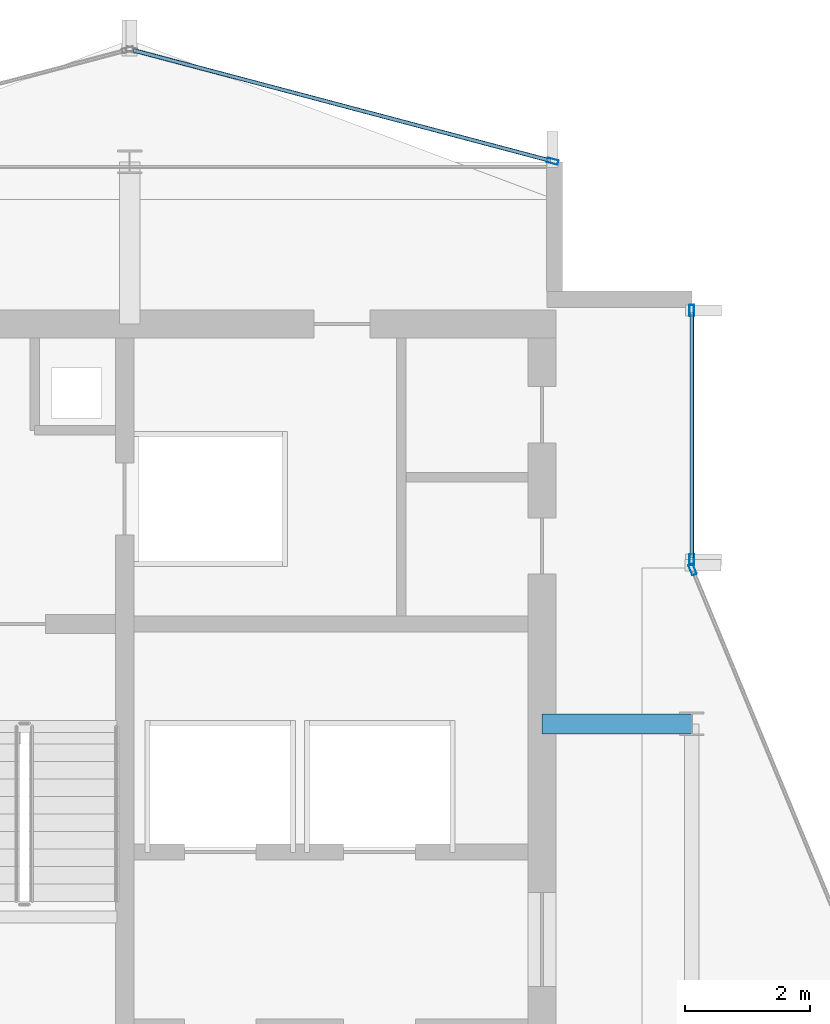
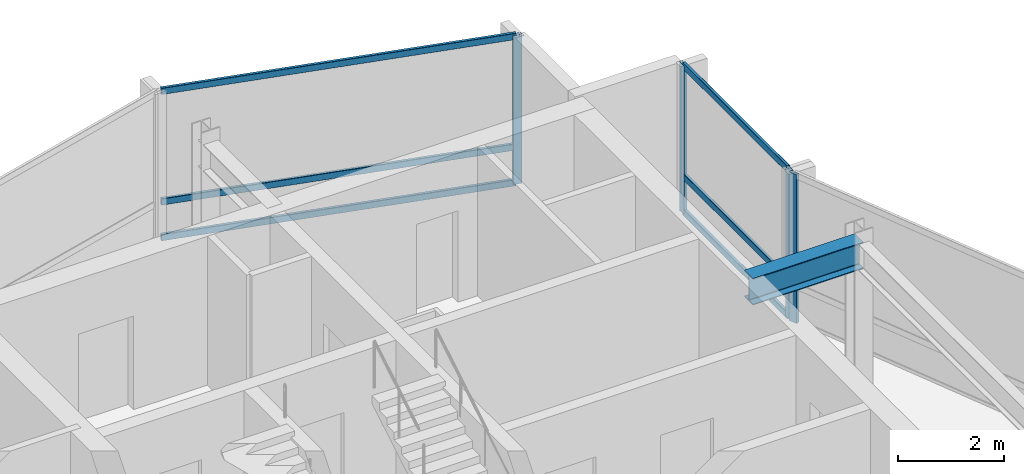
# One storey, part 12 of 19: 10 members, 1 beam, 3 elements without a shape of their own.
"""IFC4 building model written with IfcOpenShell, lengths in metres."""

from ifc_helpers import new_model, si_unit, direction, frame, origin, origin_2d, place, context, subcontext, project, spatial, hollow_rectangle, i_section, extrude, material, layer, layer_set, material_profile, profile_set, type_object, element, aggregate, save


model = new_model("IFC4")

# Units and contexts
model_context = context("Model", 3, precision=1e-05, world=origin(), true_north=direction((0.0, 1.0)))
body_context = subcontext(model_context, "Body", "Model", "MODEL_VIEW")
ifc_project = project(units=[si_unit("LENGTHUNIT", "METRE"), si_unit("AREAUNIT", "SQUARE_METRE"), si_unit("VOLUMEUNIT", "CUBIC_METRE"), si_unit("PLANEANGLEUNIT", "RADIAN"), si_unit("MASSUNIT", "GRAM", prefix="KILO")], contexts=[model_context])

# Site, building, storey
site_placement = place(None, origin())
site = spatial("IfcSite", under=ifc_project, at=site_placement, CompositionType="ELEMENT")
building_placement = place(site_placement, origin())
building = spatial("IfcBuilding", under=site, at=building_placement, Name="Solvaryn Broadcast Tower", CompositionType="ELEMENT")
storey_placement = place(building_placement, frame((0.0, 0.0, 277.800048828125)))
storey = spatial("IfcBuildingStorey", under=building, at=storey_placement, Name="L70", CompositionType="ELEMENT", Elevation=277.800048828125)

# Beam
ifc_material_1 = material(Name="Steel ASTM A992 Grade 50", Category="steel")
ifc_material_profile_1 = material_profile(ifc_material_1, i_section(OverallWidth=0.323974609375, OverallDepth=0.611083984375, WebThickness=0.0126953125, FlangeThickness=0.01904296875, FilletRadius=0.014892578125, at=origin_2d()))
ifc_profile_set_1 = profile_set([ifc_material_profile_1], Name="Steel ASTM A992 Grade 50")
beam_type = type_object("IfcBeamType", Name="BM-B1-W24X104", PredefinedType="BEAM", material=ifc_profile_set_1)
beam_placement = place(storey_placement, frame((24.60009765625, 36.0, 3.114501953125), z_axis=(1.0, 0.0, 0.0), x_axis=(0.0, 1.0, 0.0)))
element("IfcBeam", 1, at=beam_placement, inside=storey, type_object=beam_type, Name="L70 Core Tie Beam CTW2", PredefinedType="BEAM", context=body_context, shape_type="SweptSolid", body=[
    extrude(i_section(OverallWidth=0.323974609375, OverallDepth=0.611083984375, WebThickness=0.0126953125, FlangeThickness=0.01904296875, FilletRadius=0.014892578125, at=origin_2d()), origin(), (0.0, 0.0, 1.0), 2.39990234375),
])

# Curtain wall, members
ifc_material_2 = material(Name="Aluminium and Terracotta Unitised Curtain Wall", Category="masonry")
ifc_layer = layer(ifc_material_2, 0.199951171875)
ifc_layer_set = layer_set([ifc_layer], Name="CW-SYS2-LOWMID")
curtain_wall_type = type_object("IfcCurtainWallType", Name="CW-SYS2-LOWMID", PredefinedType="NOTDEFINED", material=ifc_layer_set)
curtain_wall_1_placement = place(storey_placement, origin())
curtain_wall_1 = element("IfcCurtainWall", 2, at=curtain_wall_1_placement, inside=storey, type_object=curtain_wall_type, Name="L70 Curtain Wall IV", PredefinedType="NOTDEFINED")
ifc_material_3 = material(Name="Anodised Aluminium 6063-T6", Category="aluminium")
ifc_material_profile_2 = material_profile(ifc_material_3, hollow_rectangle(XDim=0.074951171875, YDim=0.179931640625, WallThickness=0.00390625, InnerFilletRadius=0.00390625, OuterFilletRadius=0.008056640625, at=origin_2d()))
ifc_profile_set_2 = profile_set([ifc_material_profile_2], Name="Anodised Aluminium 6063-T6")
member_type_1 = type_object("IfcMemberType", Name="CW-MUL-180", PredefinedType="MULLION", material=ifc_profile_set_2)
member_1_placement = place(storey_placement, frame((27.0, 42.6201171875, 0.0), z_axis=(0.0, 0.0, 1.0), x_axis=(1.0, 0.0, 0.0)))
member_1 = element("IfcMember", 3, at=member_1_placement, type_object=member_type_1, Name="CWS2 mullion 1", PredefinedType="MULLION", context=body_context, shape_type="SweptSolid", body=[
    extrude(hollow_rectangle(XDim=0.074951171875, YDim=0.179931640625, WallThickness=0.00390625, InnerFilletRadius=0.00390625, OuterFilletRadius=0.008056640625, at=origin_2d()), origin(), (0.0, 0.0, 1.0), 3.419921875),
])
member_2_placement = place(storey_placement, frame((27.0, 38.6298828125, 0.0), z_axis=(0.0, 0.0, 1.0), x_axis=(1.0, 0.0, 0.0)))
member_2 = element("IfcMember", 4, at=member_2_placement, type_object=member_type_1, Name="CWS2 mullion 2", PredefinedType="MULLION", context=body_context, shape_type="SweptSolid", body=[
    extrude(hollow_rectangle(XDim=0.074951171875, YDim=0.179931640625, WallThickness=0.00390625, InnerFilletRadius=0.00390625, OuterFilletRadius=0.008056640625, at=origin_2d()), origin(), (0.0, 0.0, 1.0), 3.419921875),
])

# Curtain wall, member
curtain_wall_2_placement = place(storey_placement, origin())
curtain_wall_2 = element("IfcCurtainWall", 5, at=curtain_wall_2_placement, inside=storey, type_object=curtain_wall_type, Name="L70 Curtain Wall CN2", PredefinedType="NOTDEFINED")
member_3_placement = place(storey_placement, frame((27.011474609375, 38.47216796875, 0.0), z_axis=(0.0, 0.0, 1.0), x_axis=(-0.923894983957, -0.382646127145, 0.0)))
member_3 = element("IfcMember", 6, at=member_3_placement, type_object=member_type_1, Name="CWS2 mullion 2", PredefinedType="MULLION", context=body_context, shape_type="SweptSolid", body=[
    extrude(hollow_rectangle(XDim=0.074951171875, YDim=0.179931640625, WallThickness=0.00390625, InnerFilletRadius=0.00390625, OuterFilletRadius=0.008056640625, at=origin_2d()), origin(), (0.0, 0.0, 1.0), 3.419921875),
])
aggregate(curtain_wall_2, [member_3])

curtain_wall_3_placement = place(storey_placement, origin())
curtain_wall_3 = element("IfcCurtainWall", 7, at=curtain_wall_3_placement, inside=storey, type_object=curtain_wall_type, Name="L70 Curtain Wall NT1", PredefinedType="NOTDEFINED")
member_4_placement = place(storey_placement, frame((24.77099609375, 45.007568359375, 0.0), z_axis=(0.0, 0.0, 1.0), x_axis=(-0.25589256031, -0.966705227863, 0.0)))
member_4 = element("IfcMember", 8, at=member_4_placement, type_object=member_type_1, Name="CWS2 mullion 1", PredefinedType="MULLION", context=body_context, shape_type="SweptSolid", body=[
    extrude(hollow_rectangle(XDim=0.074951171875, YDim=0.179931640625, WallThickness=0.00390625, InnerFilletRadius=0.00390625, OuterFilletRadius=0.008056640625, at=origin_2d()), origin(), (0.0, 0.0, 1.0), 3.419921875),
])

# Member
ifc_material_4 = material(Name="Anodised Aluminium 6063-T6", Category="aluminium")
ifc_material_profile_3 = material_profile(ifc_material_4, hollow_rectangle(XDim=0.06494140625, YDim=0.14990234375, WallThickness=0.00390625, InnerFilletRadius=0.00390625, OuterFilletRadius=0.008056640625, at=origin_2d()))
ifc_profile_set_3 = profile_set([ifc_material_profile_3], Name="Anodised Aluminium 6063-T6")
member_type_2 = type_object("IfcMemberType", Name="CW-TRN-150", PredefinedType="USERDEFINED", material=ifc_profile_set_3)
member_5_placement = place(storey_placement, frame((27.0, 42.590087890625, 0.030029296875), z_axis=(0.0, -1.0, 0.0), x_axis=(1.0, 0.0, 0.0)))
member_5 = element("IfcMember", 9, at=member_5_placement, type_object=member_type_2, Name="CWS2 transom 1.1", ObjectType="TRANSOM", PredefinedType="USERDEFINED", context=body_context, shape_type="SweptSolid", body=[
    extrude(hollow_rectangle(XDim=0.06494140625, YDim=0.14990234375, WallThickness=0.00390625, InnerFilletRadius=0.00390625, OuterFilletRadius=0.008056640625, at=origin_2d()), origin(), (0.0, 0.0, 1.0), 3.93017578125),
])

member_6_placement = place(storey_placement, frame((27.0, 42.590087890625, 0.849853515625), z_axis=(0.0, -1.0, 0.0), x_axis=(1.0, 0.0, 0.0)))
member_6 = element("IfcMember", 10, at=member_6_placement, type_object=member_type_2, Name="CWS2 transom 1.2", ObjectType="TRANSOM", PredefinedType="USERDEFINED", context=body_context, shape_type="SweptSolid", body=[
    extrude(hollow_rectangle(XDim=0.06494140625, YDim=0.14990234375, WallThickness=0.00390625, InnerFilletRadius=0.00390625, OuterFilletRadius=0.008056640625, at=origin_2d()), origin(), (0.0, 0.0, 1.0), 3.93017578125),
])

member_7_placement = place(storey_placement, frame((27.0, 42.590087890625, 3.389892578125), z_axis=(0.0, -1.0, 0.0), x_axis=(1.0, 0.0, 0.0)))
member_7 = element("IfcMember", 11, at=member_7_placement, type_object=member_type_2, Name="CWS2 transom 1.3", ObjectType="TRANSOM", PredefinedType="USERDEFINED", context=body_context, shape_type="SweptSolid", body=[
    extrude(hollow_rectangle(XDim=0.06494140625, YDim=0.14990234375, WallThickness=0.00390625, InnerFilletRadius=0.00390625, OuterFilletRadius=0.008056640625, at=origin_2d()), origin(), (0.0, 0.0, 1.0), 3.93017578125),
])

aggregate(curtain_wall_1, [member_1, member_2, member_5, member_6, member_7])

member_8_placement = place(storey_placement, frame((24.741943359375, 45.015380859375, 0.030029296875), z_axis=(-0.966703943301, 0.255897413051, 0.0), x_axis=(-0.255897413051, -0.966703943301, 0.0)))
member_8 = element("IfcMember", 12, at=member_8_placement, type_object=member_type_2, Name="CWS2 transom 1.1", ObjectType="TRANSOM", PredefinedType="USERDEFINED", context=body_context, shape_type="SweptSolid", body=[
    extrude(hollow_rectangle(XDim=0.06494140625, YDim=0.14990234375, WallThickness=0.00390625, InnerFilletRadius=0.00390625, OuterFilletRadius=0.008056640625, at=origin_2d()), origin(), (0.0, 0.0, 1.0), 6.9140625),
])

member_9_placement = place(storey_placement, frame((24.741943359375, 45.015380859375, 0.849853515625), z_axis=(-0.966703943301, 0.255897413051, 0.0), x_axis=(-0.255897413051, -0.966703943301, 0.0)))
member_9 = element("IfcMember", 13, at=member_9_placement, type_object=member_type_2, Name="CWS2 transom 1.2", ObjectType="TRANSOM", PredefinedType="USERDEFINED", context=body_context, shape_type="SweptSolid", body=[
    extrude(hollow_rectangle(XDim=0.06494140625, YDim=0.14990234375, WallThickness=0.00390625, InnerFilletRadius=0.00390625, OuterFilletRadius=0.008056640625, at=origin_2d()), origin(), (0.0, 0.0, 1.0), 6.9140625),
])

member_10_placement = place(storey_placement, frame((24.741943359375, 45.015380859375, 3.389892578125), z_axis=(-0.966703943301, 0.255897413051, 0.0), x_axis=(-0.255897413051, -0.966703943301, 0.0)))
member_10 = element("IfcMember", 14, at=member_10_placement, type_object=member_type_2, Name="CWS2 transom 1.3", ObjectType="TRANSOM", PredefinedType="USERDEFINED", context=body_context, shape_type="SweptSolid", body=[
    extrude(hollow_rectangle(XDim=0.06494140625, YDim=0.14990234375, WallThickness=0.00390625, InnerFilletRadius=0.00390625, OuterFilletRadius=0.008056640625, at=origin_2d()), origin(), (0.0, 0.0, 1.0), 6.9140625),
])

aggregate(curtain_wall_3, [member_4, member_8, member_9, member_10])

save(model, "model.ifc")
